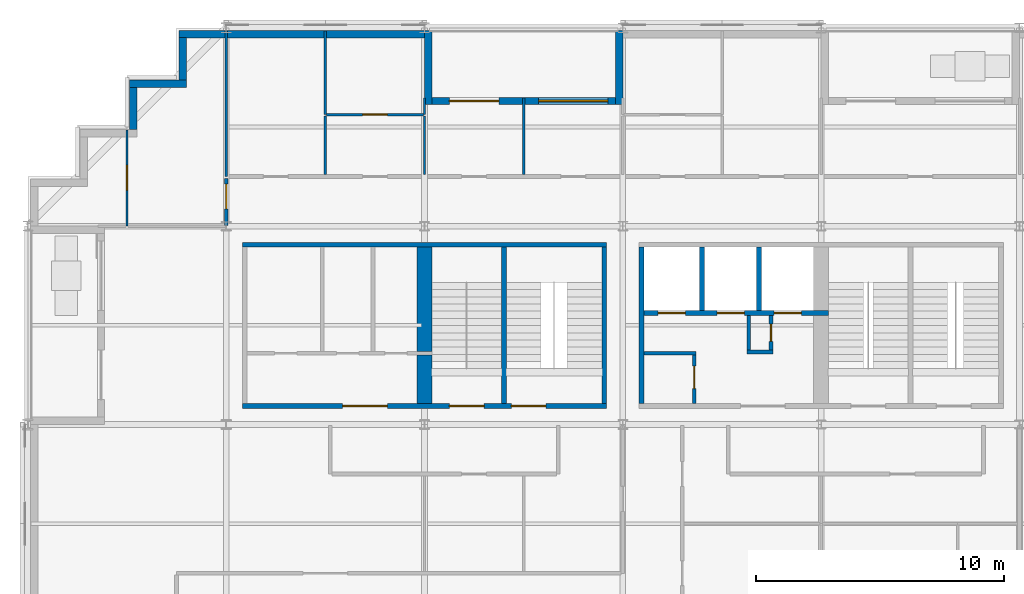
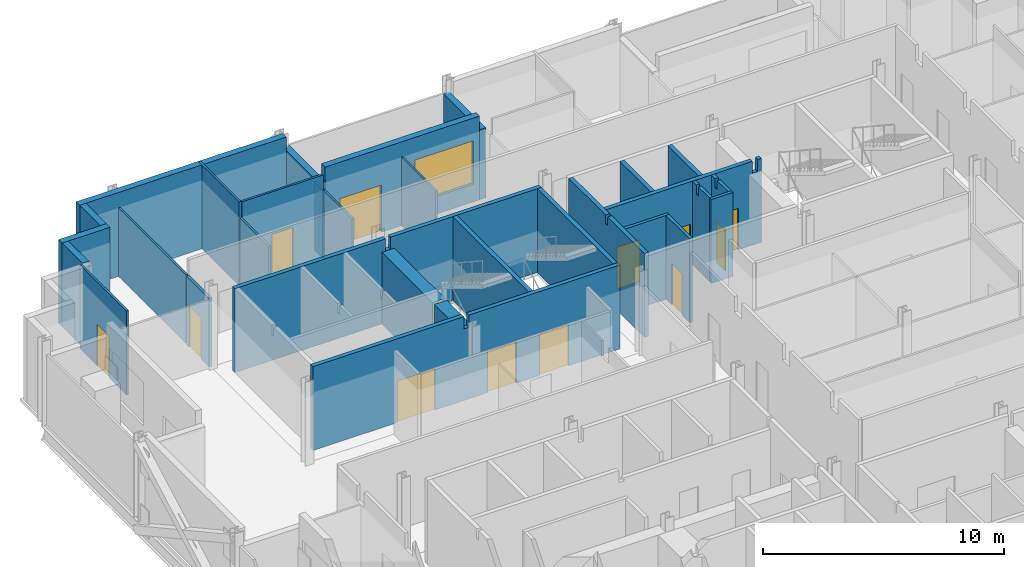
# One storey, part 10 of 15: 31 walls, 12 doors, 1 window, 13 openings.
"""IFC4 building model written with IfcOpenShell, lengths in metres."""

from ifc_helpers import new_model, si_unit, direction, frame, frame_2d, origin, place, context, subcontext, project, spatial, polyline, rectangle, outline, extrude, material, layer, layer_set, type_object, element, fill, save


model = new_model("IFC4")

# Units and contexts
model_context = context("Model", 3, precision=1e-05, world=origin(), true_north=direction((0.0, 1.0)))
body_context = subcontext(model_context, "Body", "Model", "MODEL_VIEW")
ifc_project = project(units=[si_unit("LENGTHUNIT", "METRE"), si_unit("AREAUNIT", "SQUARE_METRE"), si_unit("VOLUMEUNIT", "CUBIC_METRE"), si_unit("PLANEANGLEUNIT", "RADIAN"), si_unit("MASSUNIT", "GRAM", prefix="KILO")], contexts=[model_context])

# Site, building, storey
site_placement = place(None, origin())
site = spatial("IfcSite", under=ifc_project, at=site_placement, CompositionType="ELEMENT")
building_placement = place(site_placement, origin())
building = spatial("IfcBuilding", under=site, at=building_placement, Name="Immortelle Media Tower", CompositionType="ELEMENT")
storey_placement = place(building_placement, frame((0.0, 0.0, 65.60009765625)))
storey = spatial("IfcBuildingStorey", under=building, at=storey_placement, Name="L11", CompositionType="ELEMENT", Elevation=65.60009765625)

# Wall
ifc_material_1 = material(Name="Fire-rated gypsum board", Category="gypsum")
ifc_layer_1 = layer(ifc_material_1, 0.02490234375)
ifc_material_2 = material(Name="Steel ASTM A653 SS Gr 50 stud frame with mineral wool", Category="steel")
ifc_layer_2 = layer(ifc_material_2, 0.10009765625)
ifc_layer_3 = layer(ifc_material_1, 0.02490234375)
ifc_layer_set_1 = layer_set([ifc_layer_1, ifc_layer_2, ifc_layer_3], Name="Steel ASTM A653 SS Gr 50 stud frame with mineral wool")
wall_type_1 = type_object("IfcWallType", Name="Core partition 150", PredefinedType="PARTITIONING", material=ifc_layer_set_1)
wall_1_placement = place(storey_placement, frame((24.85009765625, 34.875, 0.0), z_axis=(0.0, 0.0, 1.0), x_axis=(1.0, 0.0, 0.0)))
element("IfcWall", 1, at=wall_1_placement, inside=storey, type_object=wall_type_1, Name="Core partition NE", PredefinedType="PARTITIONING", context=body_context, shape_type="SweptSolid", body=[
    extrude(rectangle(XDim=2.099853515625, YDim=0.14990234375, at=frame_2d((1.0498046875, 0.0))), origin(), (0.0, 0.0, 1.0), 4.25),
])

# Wall, opening, door
wall_2_placement = place(storey_placement, frame((26.875, 32.85009765625, 0.0), z_axis=(0.0, 0.0, 1.0), x_axis=(0.0, 1.0, 0.0)))
wall_2 = element("IfcWall", 2, at=wall_2_placement, inside=storey, type_object=wall_type_1, Name="Core partition NE", PredefinedType="PARTITIONING", context=body_context, shape_type="SweptSolid", body=[
    extrude(rectangle(XDim=1.949951171875, YDim=0.14990234375, at=frame_2d((0.97509765625, 0.0))), origin(), (0.0, 0.0, 1.0), 4.25),
])
opening_1_placement = place(wall_2_placement, frame((0.60009765625, 0.0, 0.0)))
opening_1 = element("IfcOpeningElement", 3, at=opening_1_placement, cuts=wall_2, Name="Opening N3-K029", PredefinedType="OPENING", context=body_context, shape_type="SweptSolid", body=[
    extrude(rectangle(XDim=0.89990234375, YDim=2.10009765625, at=frame_2d((0.449951171875, 1.050048828125))), frame((0.0, 0.0849609375, 0.0), z_axis=(0.0, -1.0, 0.0), x_axis=(1.0, 0.0, 0.0)), (0.0, 0.0, 1.0), 0.169921875),
])
ifc_material_3 = material(Name="Galvanised steel door leaf and frame ASTM A653", Category="steel")
door_type_1 = type_object("IfcDoorType", Name="Service door 900 x 2100", OperationType="NOTDEFINED", PredefinedType="NOTDEFINED", material=ifc_material_3)
door_1_placement = place(opening_1_placement, origin())
door_1 = element("IfcDoor", 4, at=door_1_placement, inside=storey, type_object=door_type_1, Name="Service N3-K029", OperationType="SINGLE_SWING_RIGHT", OverallHeight=2.10009765625, OverallWidth=0.89990234375, PredefinedType="NOTDEFINED", context=body_context, shape_type="SweptSolid", body=[
    extrude(rectangle(XDim=0.89990234375, YDim=2.10009765625, at=frame_2d((0.449951171875, 1.050048828125))), frame((0.0, 0.02490234375, 0.0), z_axis=(0.0, -1.0, 0.0), x_axis=(1.0, 0.0, 0.0)), (0.0, 0.0, 1.0), 0.050048828125),
])
fill(opening_1, door_1)

# Walls
wall_3_placement = place(storey_placement, frame((29.0, 34.925048828125, 0.0), z_axis=(0.0, 0.0, 1.0), x_axis=(1.0, 0.0, 0.0)))
element("IfcWall", 5, at=wall_3_placement, inside=storey, type_object=wall_type_1, Name="Core partition NE", PredefinedType="PARTITIONING", context=body_context, shape_type="SweptSolid", body=[
    extrude(rectangle(XDim=1.050048828125, YDim=0.14990234375, at=frame_2d((0.52490234375, 0.0))), origin(), (0.0, 0.0, 1.0), 4.25),
])
wall_4_placement = place(storey_placement, frame((29.074951171875, 35.0, 0.0), z_axis=(0.0, 0.0, 1.0), x_axis=(0.0, 1.0, 0.0)))
element("IfcWall", 6, at=wall_4_placement, inside=storey, type_object=wall_type_1, Name="Core partition NE", PredefinedType="PARTITIONING", context=body_context, shape_type="SweptSolid", body=[
    extrude(outline(polyline([(0.0, 0.0), (1.39990234375, 0.0), (1.39990234375, 4.25), (1.08154296875, 4.25), (1.08056640625, 3.788818359375), (0.91943359375, 3.788818359375), (0.91845703125, 4.25), (0.0, 4.25), (0.0, 0.0)])), frame((0.0, 0.074951171875, 0.0), z_axis=(0.0, -1.0, 0.0), x_axis=(1.0, 0.0, 0.0)), (0.0, 0.0, 1.0), 0.14990234375),
])

# Wall, opening, door
wall_5_placement = place(storey_placement, frame((29.97509765625, 35.0, 0.0), z_axis=(0.0, 0.0, 1.0), x_axis=(0.0, 1.0, 0.0)))
wall_5 = element("IfcWall", 7, at=wall_5_placement, inside=storey, type_object=wall_type_1, Name="Core partition NE", PredefinedType="PARTITIONING", context=body_context, shape_type="SweptSolid", body=[
    extrude(outline(polyline([(0.0, 0.0), (1.39990234375, 0.0), (1.39990234375, 4.25), (1.08154296875, 4.25), (1.08056640625, 3.788818359375), (0.91943359375, 3.788818359375), (0.91845703125, 4.25), (0.0, 4.25), (0.0, 0.0)])), frame((0.0, 0.074951171875, 0.0), z_axis=(0.0, -1.0, 0.0), x_axis=(1.0, 0.0, 0.0)), (0.0, 0.0, 1.0), 0.14990234375),
])
opening_2_placement = place(wall_5_placement, frame((0.35009765625, 0.0, 0.0)))
opening_2 = element("IfcOpeningElement", 8, at=opening_2_placement, cuts=wall_5, Name="Opening N3-K046", PredefinedType="OPENING", context=body_context, shape_type="SweptSolid", body=[
    extrude(rectangle(XDim=0.699951171875, YDim=2.10009765625, at=frame_2d((0.35009765625, 1.050048828125))), frame((0.0, 0.0849609375, 0.0), z_axis=(0.0, -1.0, 0.0), x_axis=(1.0, 0.0, 0.0)), (0.0, 0.0, 1.0), 0.169921875),
])
door_type_2 = type_object("IfcDoorType", Name="Service door 700 x 2100", OperationType="NOTDEFINED", PredefinedType="NOTDEFINED", material=ifc_material_3)
door_2_placement = place(opening_2_placement, origin())
door_2 = element("IfcDoor", 9, at=door_2_placement, inside=storey, type_object=door_type_2, Name="Service N3-K046", OperationType="SINGLE_SWING_RIGHT", OverallHeight=2.10009765625, OverallWidth=0.699951171875, PredefinedType="NOTDEFINED", context=body_context, shape_type="SweptSolid", body=[
    extrude(rectangle(XDim=0.699951171875, YDim=2.10009765625, at=frame_2d((0.35009765625, 1.050048828125))), frame((0.0, 0.02490234375, 0.0), z_axis=(0.0, -1.0, 0.0), x_axis=(1.0, 0.0, 0.0)), (0.0, 0.0, 1.0), 0.050048828125),
])
fill(opening_2, door_2)

# Wall
ifc_layer_4 = layer(ifc_material_1, 0.03759765625)
ifc_layer_5 = layer(ifc_material_2, 0.125)
ifc_layer_6 = layer(ifc_material_1, 0.03759765625)
ifc_layer_set_2 = layer_set([ifc_layer_4, ifc_layer_5, ifc_layer_6], Name="Steel ASTM A653 SS Gr 50 stud frame with mineral wool")
wall_type_2 = type_object("IfcWallType", Name="Core shaft wall 200", PredefinedType="PARTITIONING", material=ifc_layer_set_2)
wall_6_placement = place(storey_placement, frame((24.75, 32.85009765625, 0.0), z_axis=(0.0, 0.0, 1.0), x_axis=(0.0, 1.0, 0.0)))
element("IfcWall", 10, at=wall_6_placement, inside=storey, type_object=wall_type_2, Name="Core shaft wall NE", PredefinedType="PARTITIONING", context=body_context, shape_type="SweptSolid", body=[
    extrude(outline(polyline([(0.0, 0.0), (6.2998046875, 0.0), (6.300048828125, 4.25), (3.2314453125, 4.25), (3.23046875, 3.788818359375), (3.069580078125, 3.788818359375), (3.068603515625, 4.25), (0.0, 4.25), (0.0, 0.0)])), frame((0.0, 0.10009765625, 0.0), z_axis=(0.0, -1.0, 0.0), x_axis=(1.0, 0.0, 0.0)), (0.0, 0.0, 1.0), 0.199951171875),
])

# Wall, openings, doors
wall_7_placement = place(storey_placement, frame((24.85009765625, 36.5, 0.0), z_axis=(0.0, 0.0, 1.0), x_axis=(1.0, 0.0, 0.0)))
wall_7 = element("IfcWall", 11, at=wall_7_placement, inside=storey, type_object=wall_type_2, Name="Core shaft wall NE", PredefinedType="PARTITIONING", context=body_context, shape_type="SweptSolid", body=[
    extrude(outline(polyline([(0.0, 0.0), (7.449951171875, 0.0), (7.449951171875, 4.25), (7.26953125, 4.25), (7.2685546875, 3.6318359375), (7.031494140625, 3.6318359375), (7.030517578125, 4.25), (0.0, 4.25), (0.0, 0.0)])), frame((0.0, 0.10009765625, 0.0), z_axis=(0.0, -1.0, 0.0), x_axis=(1.0, 0.0, 0.0)), (0.0, 0.0, 1.0), 0.199951171875),
])
opening_3_placement = place(wall_7_placement, frame((0.574951171875, 0.0, 0.0)))
opening_3 = element("IfcOpeningElement", 12, at=opening_3_placement, cuts=wall_7, Name="Opening LD", PredefinedType="OPENING", context=body_context, shape_type="SweptSolid", body=[
    extrude(rectangle(XDim=1.10009765625, YDim=2.10009765625, at=frame_2d((0.550048828125, 1.050048828125))), frame((0.0, 0.10986328125, 0.0), z_axis=(0.0, -1.0, 0.0), x_axis=(1.0, 0.0, 0.0)), (0.0, 0.0, 1.0), 0.219970703125),
])
opening_4_placement = place(wall_7_placement, frame((2.949951171875, 0.0, 0.0)))
opening_4 = element("IfcOpeningElement", 13, at=opening_4_placement, cuts=wall_7, Name="Opening LD", PredefinedType="OPENING", context=body_context, shape_type="SweptSolid", body=[
    extrude(rectangle(XDim=1.10009765625, YDim=2.10009765625, at=frame_2d((0.550048828125, 1.050048828125))), frame((0.0, 0.10986328125, 0.0), z_axis=(0.0, -1.0, 0.0), x_axis=(1.0, 0.0, 0.0)), (0.0, 0.0, 1.0), 0.219970703125),
])
opening_5_placement = place(wall_7_placement, frame((5.25, 0.0, 0.0)))
opening_5 = element("IfcOpeningElement", 14, at=opening_5_placement, cuts=wall_7, Name="Opening LD", PredefinedType="OPENING", context=body_context, shape_type="SweptSolid", body=[
    extrude(rectangle(XDim=1.10009765625, YDim=2.10009765625, at=frame_2d((0.550048828125, 1.050048828125))), frame((0.0, 0.10986328125, 0.0), z_axis=(0.0, -1.0, 0.0), x_axis=(1.0, 0.0, 0.0)), (0.0, 0.0, 1.0), 0.219970703125),
])
ifc_material_4 = material(Name="Stainless steel AISI 304", Category="steel")
door_type_3 = type_object("IfcDoorType", Name="Landing door 1100 x 2100", OperationType="SLIDING_TO_LEFT", PredefinedType="NOTDEFINED", material=ifc_material_4)
door_3_placement = place(opening_3_placement, origin())
door_3 = element("IfcDoor", 15, at=door_3_placement, inside=storey, type_object=door_type_3, Name="Landing door LR1 L11", OperationType="SLIDING_TO_LEFT", OverallHeight=2.10009765625, OverallWidth=1.10009765625, PredefinedType="NOTDEFINED", context=body_context, shape_type="SweptSolid", body=[
    extrude(rectangle(XDim=1.10009765625, YDim=2.10009765625, at=frame_2d((0.550048828125, 1.050048828125))), frame((0.0, 0.02490234375, 0.0), z_axis=(0.0, -1.0, 0.0), x_axis=(1.0, 0.0, 0.0)), (0.0, 0.0, 1.0), 0.050048828125),
])
fill(opening_3, door_3)
door_4_placement = place(opening_4_placement, origin())
door_4 = element("IfcDoor", 16, at=door_4_placement, inside=storey, type_object=door_type_3, Name="Landing door LR2 L11", OperationType="SLIDING_TO_LEFT", OverallHeight=2.10009765625, OverallWidth=1.10009765625, PredefinedType="NOTDEFINED", context=body_context, shape_type="SweptSolid", body=[
    extrude(rectangle(XDim=1.10009765625, YDim=2.10009765625, at=frame_2d((0.550048828125, 1.050048828125))), frame((0.0, 0.02490234375, 0.0), z_axis=(0.0, -1.0, 0.0), x_axis=(1.0, 0.0, 0.0)), (0.0, 0.0, 1.0), 0.050048828125),
])
fill(opening_4, door_4)
door_5_placement = place(opening_5_placement, origin())
door_5 = element("IfcDoor", 17, at=door_5_placement, inside=storey, type_object=door_type_3, Name="Landing door LR3 L11", OperationType="SLIDING_TO_LEFT", OverallHeight=2.10009765625, OverallWidth=1.10009765625, PredefinedType="NOTDEFINED", context=body_context, shape_type="SweptSolid", body=[
    extrude(rectangle(XDim=1.10009765625, YDim=2.10009765625, at=frame_2d((0.550048828125, 1.050048828125))), frame((0.0, 0.02490234375, 0.0), z_axis=(0.0, -1.0, 0.0), x_axis=(1.0, 0.0, 0.0)), (0.0, 0.0, 1.0), 0.050048828125),
])
fill(opening_5, door_5)

# Walls
for number, where, z_axis, x_axis, name in (
    (18, (27.199951171875, 36.60009765625, 0.0), (0.0, 0.0, 1.0), (0.0, 1.0, 0.0), "Core shaft wall NE"),
    (19, (29.5, 36.60009765625, 0.0), (0.0, 0.0, 1.0), (0.0, 1.0, 0.0), "Core shaft wall NE"),
):
    element("IfcWall", number, at=place(storey_placement, frame(where, z_axis=z_axis, x_axis=x_axis)), inside=storey, type_object=wall_type_2, Name=name, PredefinedType="PARTITIONING", context=body_context, shape_type="SweptSolid", body=[
        extrude(rectangle(XDim=2.5498046875, YDim=0.199951171875, at=frame_2d((1.27490234375, 0.0))), origin(), (0.0, 0.0, 1.0), 4.25),
    ])

# Wall, opening, door
ifc_layer_7 = layer(ifc_material_1, 0.012451171875)
ifc_layer_8 = layer(ifc_material_2, 0.125)
ifc_layer_9 = layer(ifc_material_1, 0.012451171875)
ifc_layer_set_3 = layer_set([ifc_layer_7, ifc_layer_8, ifc_layer_9], Name="Steel ASTM A653 SS Gr 50 stud frame with mineral wool")
wall_type_3 = type_object("IfcWallType", Name="Corridor wall 150", PredefinedType="PARTITIONING", material=ifc_layer_set_3)
wall_8_placement = place(storey_placement, frame((8.0, 40.030029296875, 0.0), z_axis=(0.0, 0.0, 1.0), x_axis=(0.0, 1.0, 0.0)))
wall_8 = element("IfcWall", 20, at=wall_8_placement, inside=storey, type_object=wall_type_3, Name="Partition L11-054", PredefinedType="PARTITIONING", context=body_context, shape_type="SweptSolid", body=[
    extrude(rectangle(XDim=1.89501953125, YDim=0.14990234375, at=frame_2d((0.947509765625, 0.0))), origin(), (0.0, 0.0, 1.0), 3.469970703125),
])
opening_6_placement = place(wall_8_placement, frame((0.669921875, 0.0, 0.0)))
opening_6 = element("IfcOpeningElement", 21, at=opening_6_placement, cuts=wall_8, Name="Opening N3-F029", PredefinedType="OPENING", context=body_context, shape_type="SweptSolid", body=[
    extrude(rectangle(XDim=1.0, YDim=2.10009765625, at=frame_2d((0.5, 1.050048828125))), frame((0.0, 0.0849609375, 0.0), z_axis=(0.0, -1.0, 0.0), x_axis=(1.0, 0.0, 0.0)), (0.0, 0.0, 1.0), 0.169921875),
])
ifc_material_5 = material(Name="Timber veneered door leaf, galvanised steel frame ASTM A653", Category="steel")
door_type_4 = type_object("IfcDoorType", Name="Room door 1000 x 2100", OperationType="NOTDEFINED", PredefinedType="DOOR", material=ifc_material_5)
door_6_placement = place(opening_6_placement, origin())
door_6 = element("IfcDoor", 22, at=door_6_placement, inside=storey, type_object=door_type_4, Name="Door N3-F029", OperationType="SINGLE_SWING_LEFT", OverallHeight=2.10009765625, OverallWidth=1.0, PredefinedType="DOOR", context=body_context, shape_type="SweptSolid", body=[
    extrude(rectangle(XDim=1.0, YDim=2.10009765625, at=frame_2d((0.5, 1.050048828125))), frame((0.0, 0.02490234375, 0.0), z_axis=(0.0, -1.0, 0.0), x_axis=(1.0, 0.0, 0.0)), (0.0, 0.0, 1.0), 0.050048828125),
])
fill(opening_6, door_6)

# Wall, openings, door, window
ifc_material_6 = material(Name="Pale aluminium cladding panel", Category="aluminium")
ifc_layer_10 = layer(ifc_material_6, 0.030029296875)
ifc_layer_11 = layer(ifc_material_2, 0.257568359375)
ifc_material_7 = material(Name="Moisture-resistant gypsum board", Category="gypsum")
ifc_layer_12 = layer(ifc_material_7, 0.012451171875)
ifc_layer_set_4 = layer_set([ifc_layer_10, ifc_layer_11, ifc_layer_12], Name="Steel ASTM A653 SS Gr 50 stud frame with mineral wool")
wall_type_4 = type_object("IfcWallType", Name="Facade wall 300", PredefinedType="SOLIDWALL", material=ifc_layer_set_4)
wall_9_placement = place(storey_placement, frame((23.699951171875, 45.050048828125, 0.0), z_axis=(0.0, 0.0, 1.0), x_axis=(-1.0, 0.0, 0.0)))
wall_9 = element("IfcWall", 23, at=wall_9_placement, inside=storey, type_object=wall_type_4, Name="Loggia wall L11 N21", PredefinedType="SOLIDWALL", context=body_context, shape_type="SweptSolid", body=[
    extrude(rectangle(XDim=7.39990234375, YDim=0.300048828125, at=frame_2d((3.699951171875, 0.0))), origin(), (0.0, 0.0, 1.0), 4.25),
])
opening_7_placement = place(wall_9_placement, frame((0.300048828125, 0.0, 0.89990234375)))
opening_7 = element("IfcOpeningElement", 24, at=opening_7_placement, cuts=wall_9, Name="Opening W1", PredefinedType="OPENING", context=body_context, shape_type="SweptSolid", body=[
    extrude(rectangle(XDim=2.800048828125, YDim=2.199951171875, at=frame_2d((1.39990234375, 1.10009765625))), frame((0.0, 0.159912109375, 0.0), z_axis=(0.0, -1.0, 0.0), x_axis=(1.0, 0.0, 0.0)), (0.0, 0.0, 1.0), 0.320068359375),
])
opening_8_placement = place(wall_9_placement, frame((4.699951171875, 0.0, 0.0)))
opening_8 = element("IfcOpeningElement", 25, at=opening_8_placement, cuts=wall_9, Name="Opening N3-E008", PredefinedType="OPENING", context=body_context, shape_type="SweptSolid", body=[
    extrude(rectangle(XDim=2.0, YDim=2.39990234375, at=frame_2d((1.0, 1.199951171875))), frame((0.0, 0.159912109375, 0.0), z_axis=(0.0, -1.0, 0.0), x_axis=(1.0, 0.0, 0.0)), (0.0, 0.0, 1.0), 0.320068359375),
])
ifc_material_8 = material(Name="Aluminium frame, glazed leaves", Category="aluminium")
door_type_5 = type_object("IfcDoorType", Name="Loggia door 2000 x 2400", OperationType="DOUBLE_DOOR_SINGLE_SWING", PredefinedType="DOOR", material=ifc_material_8)
door_7_placement = place(opening_8_placement, origin())
door_7 = element("IfcDoor", 26, at=door_7_placement, inside=storey, type_object=door_type_5, Name="Door N3-E008", OperationType="DOUBLE_DOOR_SINGLE_SWING", OverallHeight=2.39990234375, OverallWidth=2.0, PredefinedType="DOOR", context=body_context, shape_type="SweptSolid", body=[
    extrude(rectangle(XDim=2.0, YDim=2.39990234375, at=frame_2d((1.0, 1.199951171875))), frame((0.0, 0.02490234375, 0.0), z_axis=(0.0, -1.0, 0.0), x_axis=(1.0, 0.0, 0.0)), (0.0, 0.0, 1.0), 0.050048828125),
])
fill(opening_8, door_7)
ifc_material_9 = material(Name="Aluminium frame", Category="aluminium")
window_type = type_object("IfcWindowType", Name="Window 2800 x 2200", PartitioningType="SINGLE_PANEL", PredefinedType="WINDOW", material=ifc_material_9)
window_placement = place(opening_7_placement, origin())
window = element("IfcWindow", 27, at=window_placement, inside=storey, type_object=window_type, Name="Window L11 L11-R21-B2", OverallHeight=2.199951171875, OverallWidth=2.800048828125, PartitioningType="SINGLE_PANEL", PredefinedType="WINDOW", context=body_context, shape_type="SweptSolid", body=[
    extrude(rectangle(XDim=2.800048828125, YDim=2.199951171875, at=frame_2d((1.39990234375, 1.10009765625))), frame((0.0, 0.030029296875, 0.0), z_axis=(0.0, -1.0, 0.0), x_axis=(1.0, 0.0, 0.0)), (0.0, 0.0, 1.0), 0.06005859375),
])
fill(opening_7, window)

# Walls
for number, where, z_axis, x_axis, name in (
    (28, (23.85009765625, 47.89990234375, 0.0), (0.0, 0.0, 1.0), (0.0, -1.0, 0.0), "Loggia cheek wall L11 N"),
    (29, (16.14990234375, 47.89990234375, 0.0), (0.0, 0.0, 1.0), (0.0, -1.0, 0.0), "Loggia cheek wall L11 N"),
):
    element("IfcWall", number, at=place(storey_placement, frame(where, z_axis=z_axis, x_axis=x_axis)), inside=storey, type_object=wall_type_4, Name=name, PredefinedType="SOLIDWALL", context=body_context, shape_type="SweptSolid", body=[
        extrude(rectangle(XDim=3.0, YDim=0.300048828125, at=frame_2d((1.5, 0.0))), origin(), (0.0, 0.0, 1.0), 3.555908203125),
    ])
wall_10_placement = place(storey_placement, frame((16.0, 47.75, 0.0), z_axis=(0.0, 0.0, 1.0), x_axis=(-1.0, 0.0, 0.0)))
element("IfcWall", 30, at=wall_10_placement, inside=storey, type_object=wall_type_4, Name="Facade wall L11 N21", PredefinedType="SOLIDWALL", context=body_context, shape_type="SweptSolid", body=[
    extrude(rectangle(XDim=9.89990234375, YDim=0.300048828125, at=frame_2d((4.949951171875, 0.0))), origin(), (0.0, 0.0, 1.0), 4.25),
])
wall_11_placement = place(storey_placement, frame((6.25, 47.60009765625, 0.0), z_axis=(0.0, 0.0, 1.0), x_axis=(0.0, -1.0, 0.0)))
element("IfcWall", 31, at=wall_11_placement, inside=storey, type_object=wall_type_4, Name="Facade wall L11 W22", PredefinedType="SOLIDWALL", context=body_context, shape_type="SweptSolid", body=[
    extrude(rectangle(XDim=1.7001953125, YDim=0.300048828125, at=frame_2d((0.85009765625, 0.0))), origin(), (0.0, 0.0, 1.0), 4.25),
])
wall_12_placement = place(storey_placement, frame((6.39990234375, 45.75, 0.0), z_axis=(0.0, 0.0, 1.0), x_axis=(-1.0, 0.0, 0.0)))
element("IfcWall", 32, at=wall_12_placement, inside=storey, type_object=wall_type_4, Name="Facade wall L11 N23", PredefinedType="SOLIDWALL", context=body_context, shape_type="SweptSolid", body=[
    extrude(rectangle(XDim=2.2998046875, YDim=0.300048828125, at=frame_2d((1.14990234375, 0.0))), origin(), (0.0, 0.0, 1.0), 4.25),
])
wall_13_placement = place(storey_placement, frame((4.25, 45.60009765625, 0.0), z_axis=(0.0, 0.0, 1.0), x_axis=(0.0, -1.0, 0.0)))
element("IfcWall", 33, at=wall_13_placement, inside=storey, type_object=wall_type_4, Name="Facade wall L11 W24", PredefinedType="SOLIDWALL", context=body_context, shape_type="SweptSolid", body=[
    extrude(rectangle(XDim=1.7001953125, YDim=0.300048828125, at=frame_2d((0.85009765625, 0.0))), origin(), (0.0, 0.0, 1.0), 4.25),
])

# Wall, opening, door
ifc_material_10 = material(Name="Gypsum board", Category="gypsum")
ifc_layer_13 = layer(ifc_material_10, 0.012451171875)
ifc_layer_14 = layer(ifc_material_2, 0.074951171875)
ifc_layer_15 = layer(ifc_material_10, 0.012451171875)
ifc_layer_set_5 = layer_set([ifc_layer_13, ifc_layer_14, ifc_layer_15], Name="Steel ASTM A653 SS Gr 50 stud frame with mineral wool")
wall_type_5 = type_object("IfcWallType", Name="Partition 100", PredefinedType="PARTITIONING", material=ifc_layer_set_5)
wall_14_placement = place(storey_placement, frame((4.0, 40.0, 0.0), z_axis=(0.0, 0.0, 1.0), x_axis=(0.0, 1.0, 0.0)))
wall_14 = element("IfcWall", 34, at=wall_14_placement, inside=storey, type_object=wall_type_5, Name="Partition L11-051", PredefinedType="PARTITIONING", context=body_context, shape_type="SweptSolid", body=[
    extrude(rectangle(XDim=3.8701171875, YDim=0.10009765625, at=frame_2d((1.93505859375, 0.0))), origin(), (0.0, 0.0, 1.0), 4.25),
])
opening_9_placement = place(wall_14_placement, frame((1.449951171875, 0.0, 0.0)))
opening_9 = element("IfcOpeningElement", 35, at=opening_9_placement, cuts=wall_14, Name="Opening N3-F030", PredefinedType="OPENING", context=body_context, shape_type="SweptSolid", body=[
    extrude(rectangle(XDim=1.0, YDim=2.10009765625, at=frame_2d((0.5, 1.050048828125))), frame((0.0, 0.06005859375, 0.0), z_axis=(0.0, -1.0, 0.0), x_axis=(1.0, 0.0, 0.0)), (0.0, 0.0, 1.0), 0.1201171875),
])
door_8_placement = place(opening_9_placement, origin())
door_8 = element("IfcDoor", 36, at=door_8_placement, inside=storey, type_object=door_type_4, Name="Door N3-F030", OperationType="SINGLE_SWING_LEFT", OverallHeight=2.10009765625, OverallWidth=1.0, PredefinedType="DOOR", context=body_context, shape_type="SweptSolid", body=[
    extrude(rectangle(XDim=1.0, YDim=2.10009765625, at=frame_2d((0.5, 1.050048828125))), frame((0.0, 0.02490234375, 0.0), z_axis=(0.0, -1.0, 0.0), x_axis=(1.0, 0.0, 0.0)), (0.0, 0.0, 1.0), 0.050048828125),
])
fill(opening_9, door_8)

# Walls
wall_15_placement = place(storey_placement, frame((8.0, 42.0, 0.0), z_axis=(0.0, 0.0, 1.0), x_axis=(0.0, 1.0, 0.0)))
element("IfcWall", 37, at=wall_15_placement, inside=storey, type_object=wall_type_5, Name="Partition L11-056", PredefinedType="PARTITIONING", context=body_context, shape_type="SweptSolid", body=[
    extrude(rectangle(XDim=5.8701171875, YDim=0.10009765625, at=frame_2d((2.93505859375, 0.0))), origin(), (0.0, 0.0, 1.0), 3.469970703125),
])
for number, where, z_axis, x_axis, name in (
    (38, (12.0, 42.074951171875, 0.0), (0.0, 0.0, 1.0), (0.0, 1.0, 0.0), "Partition L11-057"),
    (39, (16.0, 42.074951171875, 0.0), (0.0, 0.0, 1.0), (0.0, 1.0, 0.0), "Partition L11-058"),
):
    element("IfcWall", number, at=place(storey_placement, frame(where, z_axis=z_axis, x_axis=x_axis)), inside=storey, type_object=wall_type_5, Name=name, PredefinedType="PARTITIONING", context=body_context, shape_type="SweptSolid", body=[
        extrude(rectangle(XDim=2.375, YDim=0.10009765625, at=frame_2d((1.1875, 0.0))), origin(), (0.0, 0.0, 1.0), 3.469970703125),
    ])
wall_16_placement = place(storey_placement, frame((20.0, 42.074951171875, 0.0), z_axis=(0.0, 0.0, 1.0), x_axis=(0.0, 1.0, 0.0)))
element("IfcWall", 40, at=wall_16_placement, inside=storey, type_object=wall_type_5, Name="Partition L11-059", PredefinedType="PARTITIONING", context=body_context, shape_type="SweptSolid", body=[
    extrude(rectangle(XDim=3.094970703125, YDim=0.10009765625, at=frame_2d((1.54736328125, 0.0))), origin(), (0.0, 0.0, 1.0), 3.469970703125),
])

# Wall, opening, door
wall_17_placement = place(storey_placement, frame((12.050048828125, 44.5, 0.0), z_axis=(0.0, 0.0, 1.0), x_axis=(1.0, 0.0, 0.0)))
wall_17 = element("IfcWall", 41, at=wall_17_placement, inside=storey, type_object=wall_type_5, Name="Partition L11-064", PredefinedType="PARTITIONING", context=body_context, shape_type="SweptSolid", body=[
    extrude(rectangle(XDim=3.89990234375, YDim=0.10009765625, at=frame_2d((1.949951171875, 0.0))), origin(), (0.0, 0.0, 1.0), 4.25),
])
opening_10_placement = place(wall_17_placement, frame((1.449951171875, 0.0, 0.0)))
opening_10 = element("IfcOpeningElement", 42, at=opening_10_placement, cuts=wall_17, Name="Opening N3-F037", PredefinedType="OPENING", context=body_context, shape_type="SweptSolid", body=[
    extrude(rectangle(XDim=1.0, YDim=2.10009765625, at=frame_2d((0.5, 1.050048828125))), frame((0.0, 0.06005859375, 0.0), z_axis=(0.0, -1.0, 0.0), x_axis=(1.0, 0.0, 0.0)), (0.0, 0.0, 1.0), 0.1201171875),
])
door_9_placement = place(opening_10_placement, origin())
door_9 = element("IfcDoor", 43, at=door_9_placement, inside=storey, type_object=door_type_4, Name="Door N3-F037", OperationType="SINGLE_SWING_RIGHT", OverallHeight=2.10009765625, OverallWidth=1.0, PredefinedType="DOOR", context=body_context, shape_type="SweptSolid", body=[
    extrude(rectangle(XDim=1.0, YDim=2.10009765625, at=frame_2d((0.5, 1.050048828125))), frame((0.0, 0.02490234375, 0.0), z_axis=(0.0, -1.0, 0.0), x_axis=(1.0, 0.0, 0.0)), (0.0, 0.0, 1.0), 0.050048828125),
])
fill(opening_10, door_9)

# Walls
wall_18_placement = place(storey_placement, frame((12.0, 44.5, 0.0), z_axis=(0.0, 0.0, 1.0), x_axis=(0.0, 1.0, 0.0)))
element("IfcWall", 44, at=wall_18_placement, inside=storey, type_object=wall_type_5, Name="Partition L11-065", PredefinedType="PARTITIONING", context=body_context, shape_type="SweptSolid", body=[
    extrude(rectangle(XDim=3.3701171875, YDim=0.10009765625, at=frame_2d((1.68505859375, 0.0))), origin(), (0.0, 0.0, 1.0), 4.25),
])
wall_19_placement = place(storey_placement, frame((16.0, 44.5, 0.0), z_axis=(0.0, 0.0, 1.0), x_axis=(0.0, 1.0, 0.0)))
element("IfcWall", 45, at=wall_19_placement, inside=storey, type_object=wall_type_5, Name="Partition L11-066", PredefinedType="PARTITIONING", context=body_context, shape_type="SweptSolid", body=[
    extrude(rectangle(XDim=0.669921875, YDim=0.10009765625, at=frame_2d((0.3349609375, 0.0))), origin(), (0.0, 0.0, 1.0), 3.469970703125),
])

# Wall, openings, doors
ifc_material_11 = material(Name="Concrete C60", Category="concrete")
ifc_layer_16 = layer(ifc_material_11, 0.199951171875)
ifc_layer_set_6 = layer_set([ifc_layer_16], Name="Concrete C60")
wall_type_6 = type_object("IfcWallType", Name="Stair shaft wall 200", PredefinedType="PARTITIONING", material=ifc_layer_set_6)
wall_20_placement = place(storey_placement, frame((8.64990234375, 32.75, 0.0), z_axis=(0.0, 0.0, 1.0), x_axis=(1.0, 0.0, 0.0)))
wall_20 = element("IfcWall", 46, at=wall_20_placement, inside=storey, type_object=wall_type_6, Name="Stair shaft wall NW", PredefinedType="PARTITIONING", context=body_context, shape_type="SweptSolid", body=[
    extrude(outline(polyline([(0.0, 0.0), (14.7001953125, 0.0), (14.699951171875, 4.25), (7.469482421875, 4.25), (7.468505859375, 3.6318359375), (7.2314453125, 3.6318359375), (7.23046875, 4.25), (0.0, 4.25), (0.0, 0.0)])), frame((0.0, 0.10009765625, 0.0), z_axis=(0.0, -1.0, 0.0), x_axis=(1.0, 0.0, 0.0)), (0.0, 0.0, 1.0), 0.199951171875),
])
opening_11_placement = place(wall_20_placement, frame((4.050048828125, 0.0, 0.0)))
opening_11 = element("IfcOpeningElement", 47, at=opening_11_placement, cuts=wall_20, Name="Opening N3-K024", PredefinedType="OPENING", context=body_context, shape_type="SweptSolid", body=[
    extrude(rectangle(XDim=1.800048828125, YDim=2.10009765625, at=frame_2d((0.89990234375, 1.050048828125))), frame((0.0, 0.10986328125, 0.0), z_axis=(0.0, -1.0, 0.0), x_axis=(1.0, 0.0, 0.0)), (0.0, 0.0, 1.0), 0.219970703125),
])
opening_12_placement = place(wall_20_placement, frame((8.35009765625, 0.0, 0.0)))
opening_12 = element("IfcOpeningElement", 48, at=opening_12_placement, cuts=wall_20, Name="Opening N3-K026", PredefinedType="OPENING", context=body_context, shape_type="SweptSolid", body=[
    extrude(rectangle(XDim=1.39990234375, YDim=2.10009765625, at=frame_2d((0.699951171875, 1.050048828125))), frame((0.0, 0.10986328125, 0.0), z_axis=(0.0, -1.0, 0.0), x_axis=(1.0, 0.0, 0.0)), (0.0, 0.0, 1.0), 0.219970703125),
])
opening_13_placement = place(wall_20_placement, frame((10.85009765625, 0.0, 0.0)))
opening_13 = element("IfcOpeningElement", 49, at=opening_13_placement, cuts=wall_20, Name="Opening N3-K027", PredefinedType="OPENING", context=body_context, shape_type="SweptSolid", body=[
    extrude(rectangle(XDim=1.39990234375, YDim=2.10009765625, at=frame_2d((0.699951171875, 1.050048828125))), frame((0.0, 0.10986328125, 0.0), z_axis=(0.0, -1.0, 0.0), x_axis=(1.0, 0.0, 0.0)), (0.0, 0.0, 1.0), 0.219970703125),
])
door_type_6 = type_object("IfcDoorType", Name="Lift lobby door 1800 x 2100", OperationType="DOUBLE_DOOR_SINGLE_SWING", PredefinedType="NOTDEFINED", material=ifc_material_3)
door_10_placement = place(opening_11_placement, origin())
door_10 = element("IfcDoor", 50, at=door_10_placement, inside=storey, type_object=door_type_6, Name="Lift lobby N3-K024", OperationType="DOUBLE_DOOR_SINGLE_SWING", OverallHeight=2.10009765625, OverallWidth=1.800048828125, PredefinedType="NOTDEFINED", context=body_context, shape_type="SweptSolid", body=[
    extrude(rectangle(XDim=1.800048828125, YDim=2.10009765625, at=frame_2d((0.89990234375, 1.050048828125))), frame((0.0, 0.02490234375, 0.0), z_axis=(0.0, -1.0, 0.0), x_axis=(1.0, 0.0, 0.0)), (0.0, 0.0, 1.0), 0.050048828125),
])
fill(opening_11, door_10)
door_type_7 = type_object("IfcDoorType", Name="Stair door 1400 x 2100", OperationType="DOUBLE_DOOR_SINGLE_SWING", PredefinedType="NOTDEFINED", material=ifc_material_3)
door_11_placement = place(opening_12_placement, origin())
door_11 = element("IfcDoor", 51, at=door_11_placement, inside=storey, type_object=door_type_7, Name="Stair N3-K026", OperationType="DOUBLE_DOOR_SINGLE_SWING", OverallHeight=2.10009765625, OverallWidth=1.39990234375, PredefinedType="NOTDEFINED", context=body_context, shape_type="SweptSolid", body=[
    extrude(rectangle(XDim=1.39990234375, YDim=2.10009765625, at=frame_2d((0.699951171875, 1.050048828125))), frame((0.0, 0.02490234375, 0.0), z_axis=(0.0, -1.0, 0.0), x_axis=(1.0, 0.0, 0.0)), (0.0, 0.0, 1.0), 0.050048828125),
])
fill(opening_12, door_11)
door_12_placement = place(opening_13_placement, origin())
door_12 = element("IfcDoor", 52, at=door_12_placement, inside=storey, type_object=door_type_7, Name="Stair N3-K027", OperationType="DOUBLE_DOOR_SINGLE_SWING", OverallHeight=2.10009765625, OverallWidth=1.39990234375, PredefinedType="NOTDEFINED", context=body_context, shape_type="SweptSolid", body=[
    extrude(rectangle(XDim=1.39990234375, YDim=2.10009765625, at=frame_2d((0.699951171875, 1.050048828125))), frame((0.0, 0.02490234375, 0.0), z_axis=(0.0, -1.0, 0.0), x_axis=(1.0, 0.0, 0.0)), (0.0, 0.0, 1.0), 0.050048828125),
])
fill(opening_13, door_12)

# Walls
wall_21_placement = place(storey_placement, frame((8.64990234375, 39.25, 0.0), z_axis=(0.0, 0.0, 1.0), x_axis=(1.0, 0.0, 0.0)))
element("IfcWall", 53, at=wall_21_placement, inside=storey, type_object=wall_type_6, Name="Stair shaft wall NW", PredefinedType="PARTITIONING", context=body_context, shape_type="SweptSolid", body=[
    extrude(outline(polyline([(0.0, 0.0), (14.7001953125, 0.0), (14.699951171875, 4.25), (7.469482421875, 4.25), (7.468505859375, 3.6318359375), (7.2314453125, 3.6318359375), (7.23046875, 4.25), (0.0, 4.25), (0.0, 0.0)])), frame((0.0, 0.10009765625, 0.0), z_axis=(0.0, -1.0, 0.0), x_axis=(1.0, 0.0, 0.0)), (0.0, 0.0, 1.0), 0.199951171875),
])
for number, where, z_axis, x_axis, name in (
    (54, (19.199951171875, 32.85009765625, 0.0), (0.0, 0.0, 1.0), (0.0, 1.0, 0.0), "Stair shaft wall NW"),
    (55, (23.25, 32.85009765625, 0.0), (0.0, 0.0, 1.0), (0.0, 1.0, 0.0), "Stair shaft wall NW"),
):
    element("IfcWall", number, at=place(storey_placement, frame(where, z_axis=z_axis, x_axis=x_axis)), inside=storey, type_object=wall_type_6, Name=name, PredefinedType="PARTITIONING", context=body_context, shape_type="SweptSolid", body=[
        extrude(rectangle(XDim=6.2998046875, YDim=0.199951171875, at=frame_2d((3.14990234375, 0.0))), origin(), (0.0, 0.0, 1.0), 4.25),
    ])
ifc_layer_17 = layer(ifc_material_11, 0.60009765625)
ifc_layer_set_7 = layer_set([ifc_layer_17], Name="Concrete C60")
wall_type_7 = type_object("IfcWallType", Name="Stair shaft wall 600", PredefinedType="PARTITIONING", material=ifc_layer_set_7)
wall_22_placement = place(storey_placement, frame((16.0, 32.85009765625, 0.0), z_axis=(0.0, 0.0, 1.0), x_axis=(0.0, 1.0, 0.0)))
element("IfcWall", 56, at=wall_22_placement, inside=storey, type_object=wall_type_7, Name="Stair shaft wall NW", PredefinedType="PARTITIONING", context=body_context, shape_type="SweptSolid", body=[
    extrude(rectangle(XDim=1.949951171875, YDim=0.60009765625, at=frame_2d((0.97509765625, 0.0))), origin(), (0.0, 0.0, 1.0), 3.6318359375),
])
wall_23_placement = place(storey_placement, frame((16.0, 34.949951171875, 0.0), z_axis=(0.0, 0.0, 1.0), x_axis=(0.0, 1.0, 0.0)))
element("IfcWall", 57, at=wall_23_placement, inside=storey, type_object=wall_type_7, Name="Stair shaft wall NW", PredefinedType="PARTITIONING", context=body_context, shape_type="SweptSolid", body=[
    extrude(rectangle(XDim=4.199951171875, YDim=0.60009765625, at=frame_2d((2.10009765625, 0.0))), origin(), (0.0, 0.0, 1.0), 3.6318359375),
])

save(model, "model.ifc")
